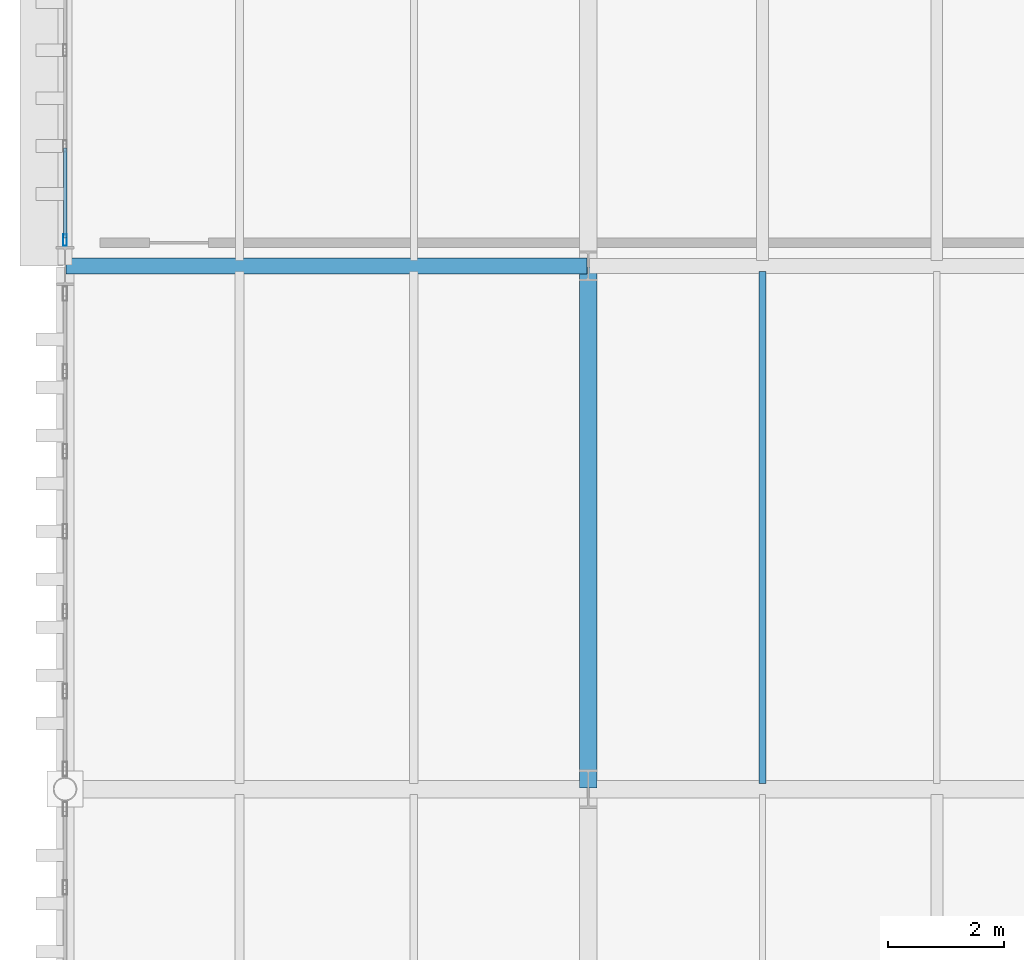
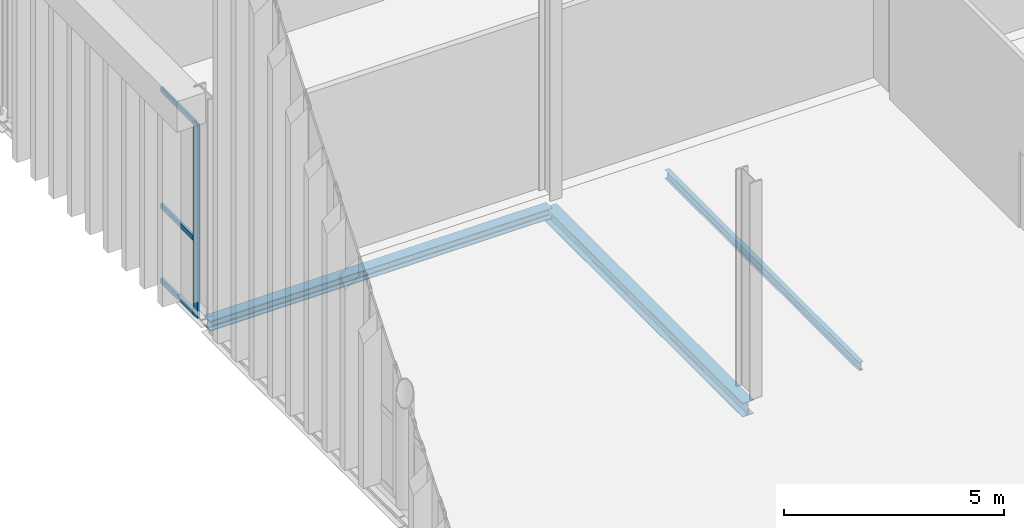
# One storey, part 63 of 237: 4 members, 3 beams, 1 element without a shape of its own.
"""IFC4 building model written with IfcOpenShell, lengths in metres."""

from ifc_helpers import new_model, si_unit, direction, frame, origin, origin_2d, place, context, subcontext, project, spatial, hollow_rectangle, i_section, extrude, material, layer, layer_set, material_profile, profile_set, type_object, element, aggregate, save


model = new_model("IFC4")

# Units and contexts
model_context = context("Model", 3, precision=1e-05, world=origin(), true_north=direction((0.0, 1.0)))
body_context = subcontext(model_context, "Body", "Model", "MODEL_VIEW")
ifc_project = project(units=[si_unit("LENGTHUNIT", "METRE"), si_unit("AREAUNIT", "SQUARE_METRE"), si_unit("VOLUMEUNIT", "CUBIC_METRE"), si_unit("PLANEANGLEUNIT", "RADIAN"), si_unit("MASSUNIT", "GRAM", prefix="KILO")], contexts=[model_context])

# Site, building, storey
site_placement = place(None, origin())
site = spatial("IfcSite", under=ifc_project, at=site_placement, CompositionType="ELEMENT")
building_placement = place(site_placement, origin())
building = spatial("IfcBuilding", under=site, at=building_placement, Name="Barlavento Convention Centre", CompositionType="ELEMENT")
storey_placement = place(building_placement, frame((0.0, 0.0, 12.0)))
storey = spatial("IfcBuildingStorey", under=building, at=storey_placement, Name="L02", CompositionType="ELEMENT", Elevation=12.0)

# Curtain wall, members
ifc_material_1 = material(Name="Powder-coated aluminium and Low-E glass", Category="aluminium")
ifc_layer = layer(ifc_material_1, 0.18505859375)
ifc_layer_set = layer_set([ifc_layer], Name="ARC-CW-EXH-L02")
curtain_wall_type = type_object("IfcCurtainWallType", Name="ARC-CW-EXH-L02", PredefinedType="NOTDEFINED", material=ifc_layer_set)
curtain_wall_placement = place(storey_placement, origin())
curtain_wall = element("IfcCurtainWall", 1, at=curtain_wall_placement, inside=storey, type_object=curtain_wall_type, Name="L02 unitised curtain wall CW05", PredefinedType="NOTDEFINED")
ifc_material_2 = material(Name="Powder-coated aluminium", Category="aluminium")
ifc_material_profile_1 = material_profile(ifc_material_2, hollow_rectangle(XDim=0.06494140625, YDim=0.199951171875, WallThickness=0.0048828125, at=origin_2d()), Name="AL-MULL 65x200x5")
ifc_profile_set_1 = profile_set([ifc_material_profile_1], Name="Powder-coated aluminium")
member_type_1 = type_object("IfcMemberType", Name="ARC-CWM-65X200", PredefinedType="MULLION", material=ifc_profile_set_1)
member_1_placement = place(storey_placement, frame((0.0, 54.446533203125, -0.5), z_axis=(0.0, 0.0, 1.0), x_axis=(-1.0, 0.0, 0.0)))
member_1 = element("IfcMember", 2, at=member_1_placement, type_object=member_type_1, Name="CW05 mullion 1", PredefinedType="MULLION", context=body_context, shape_type="SweptSolid", body=[
    extrude(hollow_rectangle(XDim=0.06494140625, YDim=0.199951171875, WallThickness=0.0048828125, at=origin_2d()), origin(), (0.0, 0.0, 1.0), 5.35009765625),
])
ifc_material_profile_2 = material_profile(ifc_material_2, hollow_rectangle(XDim=0.06005859375, YDim=0.139892578125, WallThickness=0.00390625, at=origin_2d()), Name="AL-TRAN 60x140x4")
ifc_profile_set_2 = profile_set([ifc_material_profile_2], Name="Powder-coated aluminium")
member_type_2 = type_object("IfcMemberType", Name="ARC-CWT-60X140", PredefinedType="USERDEFINED", material=ifc_profile_set_2)
member_2_placement = place(storey_placement, frame((0.0, 54.47900390625, -0.469970703125), z_axis=(0.0, 1.0, 0.0), x_axis=(-1.0, 0.0, 0.0)))
member_2 = element("IfcMember", 3, at=member_2_placement, type_object=member_type_2, Name="CW05 transom 1.1", ObjectType="TRANSOM", PredefinedType="USERDEFINED", context=body_context, shape_type="SweptSolid", body=[
    extrude(hollow_rectangle(XDim=0.06005859375, YDim=0.139892578125, WallThickness=0.00390625, at=origin_2d()), origin(), (0.0, 0.0, 1.0), 1.55126953125),
])
member_3_placement = place(storey_placement, frame((0.0, 54.47900390625, 1.60009765625), z_axis=(0.0, 1.0, 0.0), x_axis=(-1.0, 0.0, 0.0)))
member_3 = element("IfcMember", 4, at=member_3_placement, type_object=member_type_2, Name="CW05 transom 1.2", ObjectType="TRANSOM", PredefinedType="USERDEFINED", context=body_context, shape_type="SweptSolid", body=[
    extrude(hollow_rectangle(XDim=0.06005859375, YDim=0.139892578125, WallThickness=0.00390625, at=origin_2d()), origin(), (0.0, 0.0, 1.0), 1.55126953125),
])
member_4_placement = place(storey_placement, frame((0.0, 54.47900390625, 4.820068359375), z_axis=(0.0, 1.0, 0.0), x_axis=(-1.0, 0.0, 0.0)))
member_4 = element("IfcMember", 5, at=member_4_placement, type_object=member_type_2, Name="CW05 transom 1.3", ObjectType="TRANSOM", PredefinedType="USERDEFINED", context=body_context, shape_type="SweptSolid", body=[
    extrude(hollow_rectangle(XDim=0.06005859375, YDim=0.139892578125, WallThickness=0.00390625, at=origin_2d()), origin(), (0.0, 0.0, 1.0), 1.55126953125),
])
aggregate(curtain_wall, [member_1, member_2, member_3, member_4])

# Beams
ifc_material_3 = material(Name="Steel S355", Category="steel")
ifc_material_profile_3 = material_profile(ifc_material_3, i_section(OverallWidth=0.1201171875, OverallDepth=0.239990234375, WebThickness=0.006103515625, FlangeThickness=0.009765625, FilletRadius=0.014892578125, at=origin_2d()), Name="IPE 240")
ifc_profile_set_3 = profile_set([ifc_material_profile_3], Name="Steel S355")
beam_type_1 = type_object("IfcBeamType", Name="STR-BM-JST-IPE240", PredefinedType="JOIST", material=ifc_profile_set_3)
beam_1_placement = place(storey_placement, frame((12.0, 45.094970703125, -0.419921875), z_axis=(0.0, 1.0, 0.0), x_axis=(-1.0, 0.0, 0.0)))
element("IfcBeam", 6, at=beam_1_placement, inside=storey, type_object=beam_type_1, Name="L02 composite floor joist SJ09", PredefinedType="JOIST", context=body_context, shape_type="SweptSolid", body=[
    extrude(i_section(OverallWidth=0.1201171875, OverallDepth=0.239990234375, WebThickness=0.006103515625, FlangeThickness=0.009765625, FilletRadius=0.014892578125, at=origin_2d()), origin(), (0.0, 0.0, 1.0), 8.81005859375),
])
ifc_material_profile_4 = material_profile(ifc_material_3, i_section(OverallWidth=0.300048828125, OverallDepth=0.389892578125, WebThickness=0.010986328125, FlangeThickness=0.01904296875, FilletRadius=0.027099609375, at=origin_2d()), Name="HEA 400")
ifc_profile_set_4 = profile_set([ifc_material_profile_4], Name="Steel S355")
beam_type_2 = type_object("IfcBeamType", Name="STR-BM-PRI-HEA400", PredefinedType="BEAM", material=ifc_profile_set_4)
beam_2_placement = place(storey_placement, frame((9.0, 45.02001953125, -0.4951171875), z_axis=(0.0, 1.0, 0.0), x_axis=(-1.0, 0.0, 0.0)))
element("IfcBeam", 7, at=beam_2_placement, inside=storey, type_object=beam_type_2, Name="L02 grid girder BG22", PredefinedType="BEAM", context=body_context, shape_type="SweptSolid", body=[
    extrude(i_section(OverallWidth=0.300048828125, OverallDepth=0.389892578125, WebThickness=0.010986328125, FlangeThickness=0.01904296875, FilletRadius=0.027099609375, at=origin_2d()), origin(), (0.0, 0.0, 1.0), 8.9599609375),
])
ifc_material_profile_5 = material_profile(ifc_material_3, i_section(OverallWidth=0.280029296875, OverallDepth=0.280029296875, WebThickness=0.010498046875, FlangeThickness=0.01806640625, FilletRadius=0.02392578125, at=origin_2d()), Name="HEB 280")
ifc_profile_set_5 = profile_set([ifc_material_profile_5], Name="Steel S355")
beam_type_3 = type_object("IfcBeamType", Name="STR-BM-PRI-HEB280", PredefinedType="BEAM", material=ifc_profile_set_5)
beam_3_placement = place(storey_placement, frame((0.02001953125, 54.0, -0.43994140625), z_axis=(1.0, 0.0, 0.0), x_axis=(0.0, 1.0, 0.0)))
element("IfcBeam", 8, at=beam_3_placement, inside=storey, type_object=beam_type_3, Name="L02 primary girder BG15", PredefinedType="BEAM", context=body_context, shape_type="SweptSolid", body=[
    extrude(i_section(OverallWidth=0.280029296875, OverallDepth=0.280029296875, WebThickness=0.010498046875, FlangeThickness=0.01806640625, FilletRadius=0.02392578125, at=origin_2d()), origin(), (0.0, 0.0, 1.0), 8.9599609375),
])

save(model, "model.ifc")
